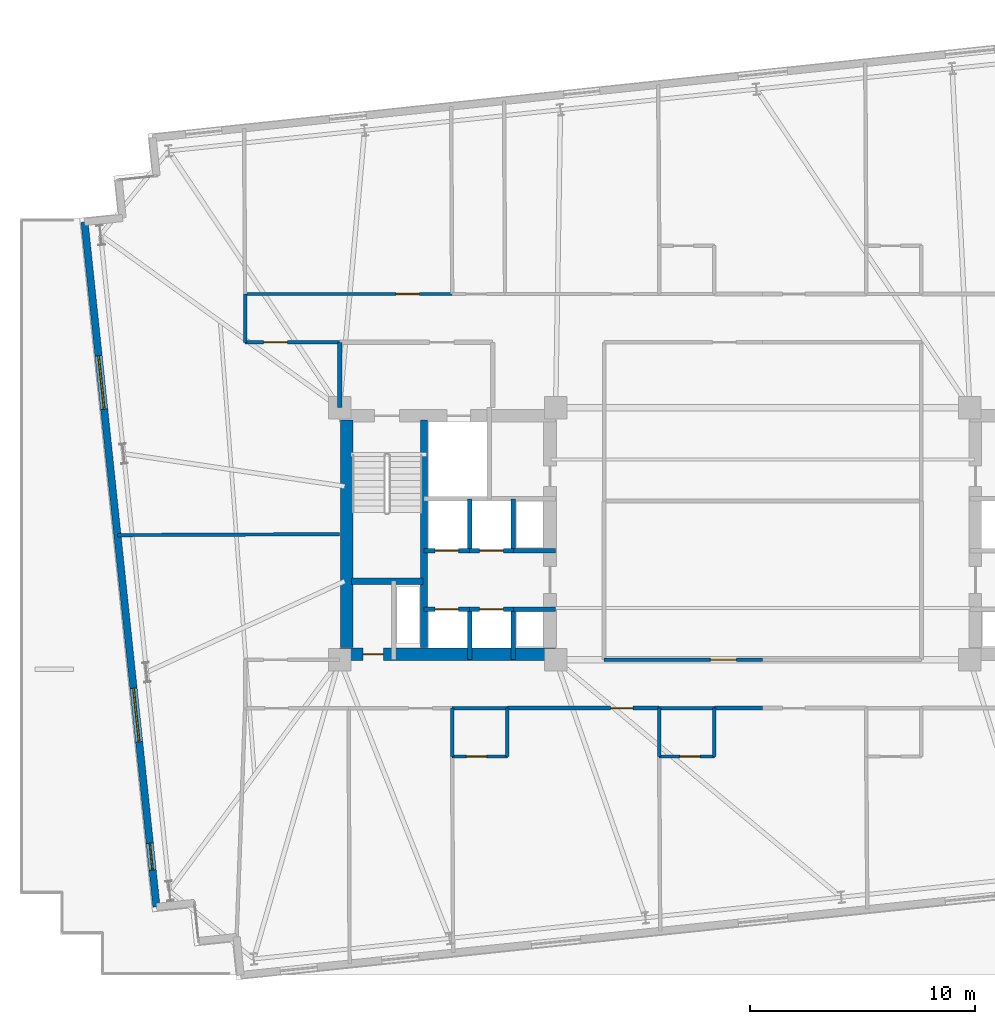
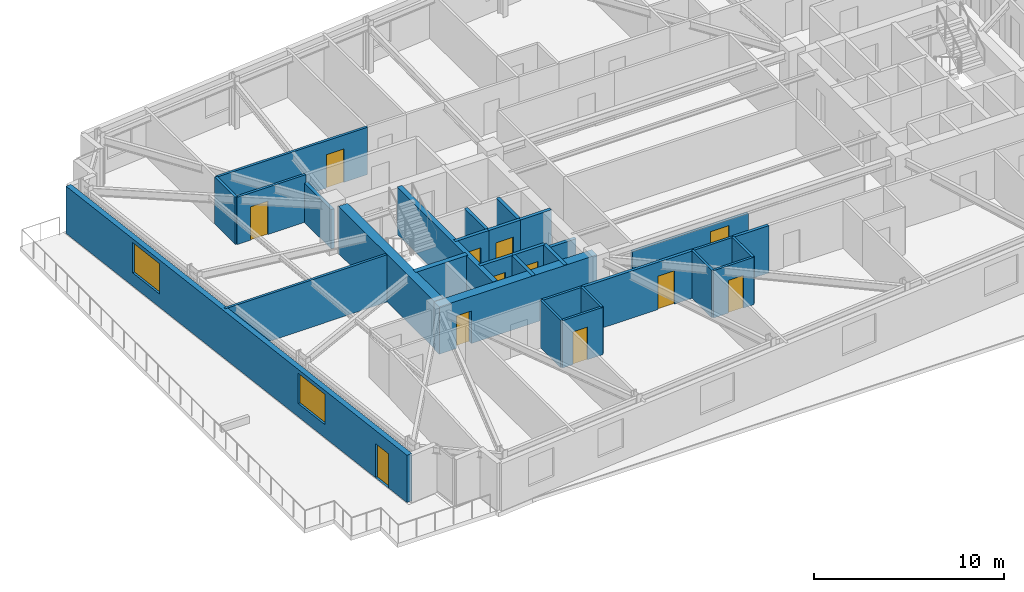
# One storey, part 12 of 20: 31 walls, 12 doors, 2 windows, 14 openings.
"""IFC4 building model written with IfcOpenShell, lengths in metres."""

from ifc_helpers import new_model, si_unit, direction, frame, frame_2d, origin, place, context, subcontext, project, spatial, rectangle, extrude, material, layer, layer_set, type_object, element, fill, save


model = new_model("IFC4")

# Units and contexts
model_context = context("Model", 3, precision=1e-05, world=origin(), true_north=direction((0.0, 1.0)))
body_context = subcontext(model_context, "Body", "Model", "MODEL_VIEW")
ifc_project = project(units=[si_unit("LENGTHUNIT", "METRE"), si_unit("AREAUNIT", "SQUARE_METRE"), si_unit("VOLUMEUNIT", "CUBIC_METRE"), si_unit("PLANEANGLEUNIT", "RADIAN"), si_unit("MASSUNIT", "GRAM", prefix="KILO")], contexts=[model_context])

# Site, building, storey
site_placement = place(None, origin())
site = spatial("IfcSite", under=ifc_project, at=site_placement, CompositionType="ELEMENT")
building_placement = place(site_placement, origin())
building = spatial("IfcBuilding", under=site, at=building_placement, Name="Qobustan Lattice House", CompositionType="ELEMENT")
storey_placement = place(building_placement, frame((0.0, 0.0, 79.0)))
storey = spatial("IfcBuildingStorey", under=building, at=storey_placement, Name="L21", CompositionType="ELEMENT", Elevation=79.0)

# Wall, opening, door
ifc_material_1 = material(Name="Concrete C60/75", Category="concrete")
ifc_layer_1 = layer(ifc_material_1, 0.56005859375)
ifc_layer_set_1 = layer_set([ifc_layer_1], Name="Concrete C60/75")
wall_type_1 = type_object("IfcWallType", Name="WAL-CORE-600", PredefinedType="SHEAR", material=ifc_layer_set_1)
wall_1_placement = place(storey_placement, frame((-18.800048828125, -5.35009765625, 0.0), z_axis=(0.0, 0.0, 1.0), x_axis=(1.0, 0.0, 0.0)))
wall_1 = element("IfcWall", 1, at=wall_1_placement, inside=storey, type_object=wall_type_1, Name="L21 split-core shear wall CW-S", PredefinedType="SHEAR", context=body_context, shape_type="SweptSolid", body=[
    extrude(rectangle(XDim=9.60009765625, YDim=0.56005859375, at=frame_2d((4.800048828125, 0.0))), origin(), (0.0, 0.0, 1.0), 3.044921875),
])
opening_1_placement = place(wall_1_placement, frame((1.050048828125, 0.0, 0.0)))
opening_1 = element("IfcOpeningElement", 2, at=opening_1_placement, cuts=wall_1, Name="Opening RD-01", PredefinedType="OPENING", context=body_context, shape_type="SweptSolid", body=[
    extrude(rectangle(XDim=0.89990234375, YDim=2.10009765625, at=frame_2d((0.449951171875, 1.050048828125))), frame((0.0, 0.2900390625, 0.0), z_axis=(0.0, -1.0, 0.0), x_axis=(1.0, 0.0, 0.0)), (0.0, 0.0, 1.0), 0.580078125),
])
ifc_material_2 = material(Name="Persian walnut timber and steel frame door", Category="steel")
door_type_1 = type_object("IfcDoorType", Name="DOR-RISER-FD-900x2100", OperationType="NOTDEFINED", PredefinedType="DOOR", material=ifc_material_2)
door_1_placement = place(opening_1_placement, origin())
door_1 = element("IfcDoor", 3, at=door_1_placement, inside=storey, type_object=door_type_1, Name="L21 core service riser access door W", OperationType="SINGLE_SWING_LEFT", OverallHeight=2.10009765625, OverallWidth=0.89990234375, PredefinedType="DOOR", context=body_context, shape_type="SweptSolid", body=[
    extrude(rectangle(XDim=0.89990234375, YDim=2.10009765625, at=frame_2d((0.449951171875, 1.050048828125))), frame((0.0, 0.02490234375, 0.0), z_axis=(0.0, -1.0, 0.0), x_axis=(1.0, 0.0, 0.0)), (0.0, 0.0, 1.0), 0.050048828125),
])
fill(opening_1, door_1)

# Walls
wall_2_placement = place(storey_placement, frame((-18.489990234375, -5.050048828125, 0.0), z_axis=(0.0, 0.0, 1.0), x_axis=(0.0, 1.0, 0.0)))
element("IfcWall", 4, at=wall_2_placement, inside=storey, type_object=wall_type_1, Name="L21 split-core shear wall CW-W", PredefinedType="SHEAR", context=body_context, shape_type="SweptSolid", body=[
    extrude(rectangle(XDim=10.10009765625, YDim=0.56005859375, at=frame_2d((5.050048828125, 0.0))), origin(), (0.0, 0.0, 1.0), 3.044921875),
])
ifc_material_3 = material(Name="Concrete C50/60", Category="concrete")
ifc_layer_2 = layer(ifc_material_3, 0.280029296875)
ifc_layer_set_2 = layer_set([ifc_layer_2], Name="Concrete C50/60")
wall_type_2 = type_object("IfcWallType", Name="WAL-CORE-SPINE-280", PredefinedType="SHEAR", material=ifc_layer_set_2)
wall_3_placement = place(storey_placement, frame((-15.050048828125, -5.050048828125, 0.0), z_axis=(0.0, 0.0, 1.0), x_axis=(0.0, 1.0, 0.0)))
element("IfcWall", 5, at=wall_3_placement, inside=storey, type_object=wall_type_2, Name="L21 split-core shear wall CW-M", PredefinedType="SHEAR", context=body_context, shape_type="SweptSolid", body=[
    extrude(rectangle(XDim=10.10009765625, YDim=0.300048828125, at=frame_2d((5.050048828125, 0.0))), origin(), (0.0, 0.0, 1.0), 3.044921875),
])
wall_4_placement = place(storey_placement, frame((-18.280029296875, -2.110107421875, 0.0), z_axis=(0.0, 0.0, 1.0), x_axis=(1.0, 0.0, 0.0)))
element("IfcWall", 6, at=wall_4_placement, inside=storey, type_object=wall_type_2, Name="L21 split-core shear wall CW-ST", PredefinedType="SHEAR", context=body_context, shape_type="SweptSolid", body=[
    extrude(rectangle(XDim=3.179931640625, YDim=0.300048828125, at=frame_2d((1.58984375, 0.0))), origin(), (0.0, 0.0, 1.0), 3.044921875),
])

# Wall, openings, door, windows
ifc_material_4 = material(Name="Precast concrete C40/50", Category="concrete")
ifc_layer_3 = layer(ifc_material_4, 0.320068359375)
ifc_layer_set_3 = layer_set([ifc_layer_3], Name="Precast concrete C40/50")
wall_type_3 = type_object("IfcWallType", Name="WAL-EXT-STONE-320", PredefinedType="SOLIDWALL", material=ifc_layer_set_3)
wall_5_placement = place(storey_placement, frame((-26.934814453125, -16.58349609375, 0.0), z_axis=(0.0, 0.0, 1.0), x_axis=(-0.104524887486, 0.994522271192, 0.0)))
wall_5 = element("IfcWall", 7, at=wall_5_placement, inside=storey, type_object=wall_type_3, Name="L21 exterior limestone-clad wall 5", PredefinedType="SOLIDWALL", context=body_context, shape_type="SweptSolid", body=[
    extrude(rectangle(XDim=30.600341796875, YDim=0.320068359375, at=frame_2d((15.30029296875, 0.0))), origin(), (0.0, 0.0, 1.0), 3.044921875),
])
opening_2_placement = place(wall_5_placement, frame((1.64990234375, 0.0, 0.0)))
opening_2 = element("IfcOpeningElement", 8, at=opening_2_placement, cuts=wall_5, Name="Opening TD-01", PredefinedType="OPENING", context=body_context, shape_type="SweptSolid", body=[
    extrude(rectangle(XDim=1.199951171875, YDim=2.199951171875, at=frame_2d((0.60009765625, 1.10009765625))), frame((0.0, 0.169921875, 0.0), z_axis=(0.0, -1.0, 0.0), x_axis=(1.0, 0.0, 0.0)), (0.0, 0.0, 1.0), 0.340087890625),
])
opening_3_placement = place(wall_5_placement, frame((7.37109375, 0.0, 0.85009765625)))
opening_3 = element("IfcOpeningElement", 9, at=opening_3_placement, cuts=wall_5, Name="Opening WN-10", PredefinedType="OPENING", context=body_context, shape_type="SweptSolid", body=[
    extrude(rectangle(XDim=2.39990234375, YDim=1.949951171875, at=frame_2d((1.199951171875, 0.97509765625))), frame((0.0, 0.169921875, 0.0), z_axis=(0.0, -1.0, 0.0), x_axis=(1.0, 0.0, 0.0)), (0.0, 0.0, 1.0), 0.340087890625),
])
opening_4_placement = place(wall_5_placement, frame((22.230712890625, 0.0, 0.85009765625)))
opening_4 = element("IfcOpeningElement", 10, at=opening_4_placement, cuts=wall_5, Name="Opening WN-10", PredefinedType="OPENING", context=body_context, shape_type="SweptSolid", body=[
    extrude(rectangle(XDim=2.39990234375, YDim=1.949951171875, at=frame_2d((1.199951171875, 0.97509765625))), frame((0.0, 0.169921875, 0.0), z_axis=(0.0, -1.0, 0.0), x_axis=(1.0, 0.0, 0.0)), (0.0, 0.0, 1.0), 0.340087890625),
])
ifc_material_5 = material(Name="Thermally broken anodised aluminium glazed door", Category="aluminium")
door_type_2 = type_object("IfcDoorType", Name="DOR-EXT-TERR-1200x2200", OperationType="NOTDEFINED", PredefinedType="DOOR", material=ifc_material_5)
door_2_placement = place(opening_2_placement, origin())
door_2 = element("IfcDoor", 11, at=door_2_placement, inside=storey, type_object=door_type_2, Name="L21 outdoor terrace access door", OperationType="SINGLE_SWING_RIGHT", OverallHeight=2.199951171875, OverallWidth=1.199951171875, PredefinedType="DOOR", context=body_context, shape_type="SweptSolid", body=[
    extrude(rectangle(XDim=1.199951171875, YDim=2.199951171875, at=frame_2d((0.60009765625, 1.10009765625))), frame((0.0, 0.02490234375, 0.0), z_axis=(0.0, -1.0, 0.0), x_axis=(1.0, 0.0, 0.0)), (0.0, 0.0, 1.0), 0.050048828125),
])
fill(opening_2, door_2)
ifc_material_6 = material(Name="Double-glazed low-E aluminium window", Category="aluminium")
window_type = type_object("IfcWindowType", Name="WIN-LNG-2400x1950", PartitioningType="SINGLE_PANEL", PredefinedType="WINDOW", material=ifc_material_6)
window_1_placement = place(opening_3_placement, origin())
window_1 = element("IfcWindow", 12, at=window_1_placement, inside=storey, type_object=window_type, Name="L21 Spiral terrace south lounge window", OverallHeight=1.949951171875, OverallWidth=2.39990234375, PartitioningType="SINGLE_PANEL", PredefinedType="WINDOW", context=body_context, shape_type="SweptSolid", body=[
    extrude(rectangle(XDim=2.39990234375, YDim=1.949951171875, at=frame_2d((1.199951171875, 0.97509765625))), frame((0.0, 0.030029296875, 0.0), z_axis=(0.0, -1.0, 0.0), x_axis=(1.0, 0.0, 0.0)), (0.0, 0.0, 1.0), 0.06005859375),
])
fill(opening_3, window_1)
window_2_placement = place(opening_4_placement, origin())
window_2 = element("IfcWindow", 13, at=window_2_placement, inside=storey, type_object=window_type, Name="L21 Spiral terrace north lounge window", OverallHeight=1.949951171875, OverallWidth=2.39990234375, PartitioningType="SINGLE_PANEL", PredefinedType="WINDOW", context=body_context, shape_type="SweptSolid", body=[
    extrude(rectangle(XDim=2.39990234375, YDim=1.949951171875, at=frame_2d((1.199951171875, 0.97509765625))), frame((0.0, 0.030029296875, 0.0), z_axis=(0.0, -1.0, 0.0), x_axis=(1.0, 0.0, 0.0)), (0.0, 0.0, 1.0), 0.06005859375),
])
fill(opening_4, window_2)

# Wall, opening, door
ifc_material_7 = material(Name="Gypsum fireboard acoustic partition", Category="gypsum")
ifc_layer_4 = layer(ifc_material_7, 0.179931640625)
ifc_layer_set_4 = layer_set([ifc_layer_4], Name="Gypsum fireboard acoustic partition")
wall_type_4 = type_object("IfcWallType", Name="WAL-FIRE-180", PredefinedType="PARTITIONING", material=ifc_layer_set_4)
wall_6_placement = place(storey_placement, frame((-4.60009765625, -7.75, 0.0), z_axis=(0.0, 0.0, 1.0), x_axis=(-1.0, 0.0, 0.0)))
wall_6 = element("IfcWall", 14, at=wall_6_placement, inside=storey, type_object=wall_type_4, Name="L21 interior partition 56", PredefinedType="PARTITIONING", context=body_context, shape_type="SweptSolid", body=[
    extrude(rectangle(XDim=6.75, YDim=0.179931640625, at=frame_2d((3.375, 0.0))), origin(), (0.0, 0.0, 1.0), 3.044921875),
])
opening_5_placement = place(wall_6_placement, frame((1.15380859375, 0.0, 0.0)))
opening_5 = element("IfcOpeningElement", 15, at=opening_5_placement, cuts=wall_6, Name="Opening FD-02", PredefinedType="OPENING", context=body_context, shape_type="SweptSolid", body=[
    extrude(rectangle(XDim=1.0, YDim=2.14990234375, at=frame_2d((0.5, 1.074951171875))), frame((0.0, 0.099853515625, 0.0), z_axis=(0.0, -1.0, 0.0), x_axis=(1.0, 0.0, 0.0)), (0.0, 0.0, 1.0), 0.199951171875),
])
ifc_material_8 = material(Name="Persian walnut timber and steel frame door", Category="steel")
door_type_3 = type_object("IfcDoorType", Name="DOR-UNIT-FD-1000x2150", OperationType="NOTDEFINED", PredefinedType="DOOR", material=ifc_material_8)
door_3_placement = place(opening_5_placement, origin())
door_3 = element("IfcDoor", 16, at=door_3_placement, inside=storey, type_object=door_type_3, Name="L21 South-west floor corridor to Kitchenette and studio apartment L21-S2 door", OperationType="SINGLE_SWING_LEFT", OverallHeight=2.14990234375, OverallWidth=1.0, PredefinedType="DOOR", context=body_context, shape_type="SweptSolid", body=[
    extrude(rectangle(XDim=1.0, YDim=2.14990234375, at=frame_2d((0.5, 1.074951171875))), frame((0.0, 0.02490234375, 0.0), z_axis=(0.0, -1.0, 0.0), x_axis=(1.0, 0.0, 0.0)), (0.0, 0.0, 1.0), 0.050048828125),
])
fill(opening_5, door_3)

# Wall
wall_7_placement = place(storey_placement, frame((0.0, -7.75, 0.0), z_axis=(0.0, 0.0, 1.0), x_axis=(-1.0, 0.0, 0.0)))
element("IfcWall", 17, at=wall_7_placement, inside=storey, type_object=wall_type_4, Name="L21 interior partition 58", PredefinedType="PARTITIONING", context=body_context, shape_type="SweptSolid", body=[
    extrude(rectangle(XDim=2.14990234375, YDim=0.179931640625, at=frame_2d((1.074951171875, 0.0))), origin(), (0.0, 0.0, 1.0), 3.044921875),
])

# Wall, opening, door
ifc_material_9 = material(Name="Acoustic twin-stud gypsum partition", Category="gypsum")
ifc_layer_5 = layer(ifc_material_9, 0.14990234375)
ifc_layer_set_5 = layer_set([ifc_layer_5], Name="Acoustic twin-stud gypsum partition")
wall_type_5 = type_object("IfcWallType", Name="WAL-PART-150", PredefinedType="PARTITIONING", material=ifc_layer_set_5)
wall_8_placement = place(storey_placement, frame((-18.800048828125, 8.5, 0.0), z_axis=(0.0, 0.0, 1.0), x_axis=(-1.0, 0.0, 0.0)))
wall_8 = element("IfcWall", 18, at=wall_8_placement, inside=storey, type_object=wall_type_5, Name="L21 interior partition 36", PredefinedType="PARTITIONING", context=body_context, shape_type="SweptSolid", body=[
    extrude(rectangle(XDim=4.199951171875, YDim=0.14990234375, at=frame_2d((2.10009765625, 0.0))), origin(), (0.0, 0.0, 1.0), 3.044921875),
])
opening_6_placement = place(wall_8_placement, frame((2.3212890625, 0.0, 0.0)))
opening_6 = element("IfcOpeningElement", 19, at=opening_6_placement, cuts=wall_8, Name="Opening ID-02", PredefinedType="OPENING", context=body_context, shape_type="SweptSolid", body=[
    extrude(rectangle(XDim=1.050048828125, YDim=2.14990234375, at=frame_2d((0.52490234375, 1.074951171875))), frame((0.0, 0.0849609375, 0.0), z_axis=(0.0, -1.0, 0.0), x_axis=(1.0, 0.0, 0.0)), (0.0, 0.0, 1.0), 0.169921875),
])
ifc_material_10 = material(Name="Persian walnut timber and steel frame door", Category="steel")
door_type_4 = type_object("IfcDoorType", Name="DOR-STUDY-1050x2150", OperationType="NOTDEFINED", PredefinedType="DOOR", material=ifc_material_10)
door_4_placement = place(opening_6_placement, origin())
door_4 = element("IfcDoor", 20, at=door_4_placement, inside=storey, type_object=door_type_4, Name="L21 North-west floor corridor to Spiral terrace north lounge door", OperationType="SINGLE_SWING_RIGHT", OverallHeight=2.14990234375, OverallWidth=1.050048828125, PredefinedType="DOOR", context=body_context, shape_type="SweptSolid", body=[
    extrude(rectangle(XDim=1.050048828125, YDim=2.14990234375, at=frame_2d((0.52490234375, 1.074951171875))), frame((0.0, 0.02490234375, 0.0), z_axis=(0.0, -1.0, 0.0), x_axis=(1.0, 0.0, 0.0)), (0.0, 0.0, 1.0), 0.050048828125),
])
fill(opening_6, door_4)

# Wall
wall_9_placement = place(storey_placement, frame((-23.0, 8.5, 0.0), z_axis=(0.0, 0.0, 1.0), x_axis=(0.0, 1.0, 0.0)))
element("IfcWall", 21, at=wall_9_placement, inside=storey, type_object=wall_type_5, Name="L21 interior partition 37", PredefinedType="PARTITIONING", context=body_context, shape_type="SweptSolid", body=[
    extrude(rectangle(XDim=2.14990234375, YDim=0.14990234375, at=frame_2d((1.074951171875, 0.0))), origin(), (0.0, 0.0, 1.0), 3.044921875),
])

# Wall, opening, door
wall_10_placement = place(storey_placement, frame((-23.0, 10.64990234375, 0.0), z_axis=(0.0, 0.0, 1.0), x_axis=(1.0, 0.0, 0.0)))
wall_10 = element("IfcWall", 22, at=wall_10_placement, inside=storey, type_object=wall_type_5, Name="L21 interior partition 38", PredefinedType="PARTITIONING", context=body_context, shape_type="SweptSolid", body=[
    extrude(rectangle(XDim=9.199951171875, YDim=0.14990234375, at=frame_2d((4.60009765625, 0.0))), origin(), (0.0, 0.0, 1.0), 3.044921875),
])
opening_7_placement = place(wall_10_placement, frame((6.6962890625, 0.0, 0.0)))
opening_7 = element("IfcOpeningElement", 23, at=opening_7_placement, cuts=wall_10, Name="Opening ID-02", PredefinedType="OPENING", context=body_context, shape_type="SweptSolid", body=[
    extrude(rectangle(XDim=1.050048828125, YDim=2.14990234375, at=frame_2d((0.52490234375, 1.074951171875))), frame((0.0, 0.0849609375, 0.0), z_axis=(0.0, -1.0, 0.0), x_axis=(1.0, 0.0, 0.0)), (0.0, 0.0, 1.0), 0.169921875),
])
door_5_placement = place(opening_7_placement, origin())
door_5 = element("IfcDoor", 24, at=door_5_placement, inside=storey, type_object=door_type_4, Name="L21 North-west floor corridor to Focus study room N1 door", OperationType="SINGLE_SWING_LEFT", OverallHeight=2.14990234375, OverallWidth=1.050048828125, PredefinedType="DOOR", context=body_context, shape_type="SweptSolid", body=[
    extrude(rectangle(XDim=1.050048828125, YDim=2.14990234375, at=frame_2d((0.52490234375, 1.074951171875))), frame((0.0, 0.02490234375, 0.0), z_axis=(0.0, -1.0, 0.0), x_axis=(1.0, 0.0, 0.0)), (0.0, 0.0, 1.0), 0.050048828125),
])
fill(opening_7, door_5)

# Wall
wall_11_placement = place(storey_placement, frame((-28.6708984375, -0.063720703125, 0.0), z_axis=(0.0, 0.0, 1.0), x_axis=(0.999990089865, 0.004451985263, 0.0)))
element("IfcWall", 25, at=wall_11_placement, inside=storey, type_object=wall_type_5, Name="L21 interior partition 72", PredefinedType="PARTITIONING", context=body_context, shape_type="SweptSolid", body=[
    extrude(rectangle(XDim=9.870849609375, YDim=0.14990234375, at=frame_2d((4.935546875, 0.0))), origin(), (0.0, 0.0, 1.0), 3.044921875),
])

# Wall, opening, door
ifc_material_11 = material(Name="High-mass acoustic twin-stud partition", Category="gypsum")
ifc_layer_6 = layer(ifc_material_11, 0.1650390625)
ifc_layer_set_6 = layer_set([ifc_layer_6], Name="High-mass acoustic twin-stud partition")
wall_type_6 = type_object("IfcWallType", Name="WAL-PART-165", PredefinedType="PARTITIONING", material=ifc_layer_set_6)
wall_12_placement = place(storey_placement, frame((-7.050048828125, -5.60009765625, 0.0), z_axis=(0.0, 0.0, 1.0), x_axis=(1.0, 0.0, 0.0)))
wall_12 = element("IfcWall", 26, at=wall_12_placement, inside=storey, type_object=wall_type_6, Name="L21 interior partition 60", PredefinedType="PARTITIONING", context=body_context, shape_type="SweptSolid", body=[
    extrude(rectangle(XDim=7.050048828125, YDim=0.1650390625, at=frame_2d((3.52490234375, 0.0))), origin(), (0.0, 0.0, 1.0), 2.530029296875),
])
opening_8_placement = place(wall_12_placement, frame((4.7275390625, 0.0, 0.0)))
opening_8 = element("IfcOpeningElement", 27, at=opening_8_placement, cuts=wall_12, Name="Opening ID-03", PredefinedType="OPENING", context=body_context, shape_type="SweptSolid", body=[
    extrude(rectangle(XDim=1.14990234375, YDim=2.14990234375, at=frame_2d((0.574951171875, 1.074951171875))), frame((0.0, 0.092529296875, 0.0), z_axis=(0.0, -1.0, 0.0), x_axis=(1.0, 0.0, 0.0)), (0.0, 0.0, 1.0), 0.18505859375),
])
ifc_material_12 = material(Name="Persian walnut timber and steel frame door", Category="steel")
door_type_5 = type_object("IfcDoorType", Name="DOR-KITCH-1150x2150", OperationType="NOTDEFINED", PredefinedType="DOOR", material=ifc_material_12)
door_6_placement = place(opening_8_placement, origin())
door_6 = element("IfcDoor", 28, at=door_6_placement, inside=storey, type_object=door_type_5, Name="L21 South-west floor corridor to Communal dining kitchen door", OperationType="SINGLE_SWING_RIGHT", OverallHeight=2.14990234375, OverallWidth=1.14990234375, PredefinedType="DOOR", context=body_context, shape_type="SweptSolid", body=[
    extrude(rectangle(XDim=1.14990234375, YDim=2.14990234375, at=frame_2d((0.574951171875, 1.074951171875))), frame((0.0, 0.02490234375, 0.0), z_axis=(0.0, -1.0, 0.0), x_axis=(1.0, 0.0, 0.0)), (0.0, 0.0, 1.0), 0.050048828125),
])
fill(opening_8, door_6)

# Wall
ifc_material_13 = material(Name="Two-hour gypsum fireboard acoustic partition", Category="gypsum")
ifc_layer_7 = layer(ifc_material_13, 0.199951171875)
ifc_layer_set_7 = layer_set([ifc_layer_7], Name="Two-hour gypsum fireboard acoustic partition")
wall_type_7 = type_object("IfcWallType", Name="WAL-PROT-200", PredefinedType="PARTITIONING", material=ifc_layer_set_7)
wall_13_placement = place(storey_placement, frame((-18.800048828125, 8.5, 0.0), z_axis=(0.0, 0.0, 1.0), x_axis=(0.0, -1.0, 0.0)))
element("IfcWall", 29, at=wall_13_placement, inside=storey, type_object=wall_type_7, Name="L21 interior partition 5", PredefinedType="PARTITIONING", context=body_context, shape_type="SweptSolid", body=[
    extrude(rectangle(XDim=2.89990234375, YDim=0.199951171875, at=frame_2d((1.449951171875, 0.0))), origin(), (0.0, 0.0, 1.0), 2.530029296875),
])

# Wall, opening, door
ifc_material_14 = material(Name="Concrete C40/50", Category="concrete")
ifc_layer_8 = layer(ifc_material_14, 0.199951171875)
ifc_layer_set_8 = layer_set([ifc_layer_8], Name="Concrete C40/50")
wall_type_8 = type_object("IfcWallType", Name="WAL-SHAFT-200", PredefinedType="PARTITIONING", material=ifc_layer_set_8)
wall_14_placement = place(storey_placement, frame((-15.050048828125, -3.35009765625, 0.0), z_axis=(0.0, 0.0, 1.0), x_axis=(1.0, 0.0, 0.0)))
wall_14 = element("IfcWall", 30, at=wall_14_placement, inside=storey, type_object=wall_type_8, Name="L21 interior partition 7", PredefinedType="PARTITIONING", context=body_context, shape_type="SweptSolid", body=[
    extrude(rectangle(XDim=2.030029296875, YDim=0.199951171875, at=frame_2d((1.01513671875, 0.0))), origin(), (0.0, 0.0, 1.0), 3.044921875),
])
opening_9_placement = place(wall_14_placement, frame((0.489990234375, 0.0, 0.0)))
opening_9 = element("IfcOpeningElement", 31, at=opening_9_placement, cuts=wall_14, Name="Opening LD-01", PredefinedType="OPENING", context=body_context, shape_type="SweptSolid", body=[
    extrude(rectangle(XDim=1.050048828125, YDim=2.10009765625, at=frame_2d((0.52490234375, 1.050048828125))), frame((0.0, 0.10986328125, 0.0), z_axis=(0.0, -1.0, 0.0), x_axis=(1.0, 0.0, 0.0)), (0.0, 0.0, 1.0), 0.219970703125),
])
ifc_material_15 = material(Name="Persian walnut timber and steel frame door", Category="steel")
door_type_6 = type_object("IfcDoorType", Name="DOR-LIFT-LD-1050x2100", OperationType="NOTDEFINED", PredefinedType="DOOR", material=ifc_material_15)
door_7_placement = place(opening_9_placement, origin())
door_7 = element("IfcDoor", 32, at=door_7_placement, inside=storey, type_object=door_type_6, Name="L21 lift landing door", OperationType="DOUBLE_DOOR_SLIDING", OverallHeight=2.10009765625, OverallWidth=1.050048828125, PredefinedType="DOOR", context=body_context, shape_type="SweptSolid", body=[
    extrude(rectangle(XDim=1.050048828125, YDim=2.10009765625, at=frame_2d((0.52490234375, 1.050048828125))), frame((0.0, 0.02490234375, 0.0), z_axis=(0.0, -1.0, 0.0), x_axis=(1.0, 0.0, 0.0)), (0.0, 0.0, 1.0), 0.050048828125),
])
fill(opening_9, door_7)

wall_15_placement = place(storey_placement, frame((-13.02001953125, -3.35009765625, 0.0), z_axis=(0.0, 0.0, 1.0), x_axis=(1.0, 0.0, 0.0)))
wall_15 = element("IfcWall", 33, at=wall_15_placement, inside=storey, type_object=wall_type_8, Name="L21 interior partition 8", PredefinedType="PARTITIONING", context=body_context, shape_type="SweptSolid", body=[
    extrude(rectangle(XDim=1.93994140625, YDim=0.199951171875, at=frame_2d((0.969970703125, 0.0))), origin(), (0.0, 0.0, 1.0), 3.044921875),
])
opening_10_placement = place(wall_15_placement, frame((0.445068359375, 0.0, 0.0)))
opening_10 = element("IfcOpeningElement", 34, at=opening_10_placement, cuts=wall_15, Name="Opening LD-01", PredefinedType="OPENING", context=body_context, shape_type="SweptSolid", body=[
    extrude(rectangle(XDim=1.050048828125, YDim=2.10009765625, at=frame_2d((0.52490234375, 1.050048828125))), frame((0.0, 0.10986328125, 0.0), z_axis=(0.0, -1.0, 0.0), x_axis=(1.0, 0.0, 0.0)), (0.0, 0.0, 1.0), 0.219970703125),
])
door_8_placement = place(opening_10_placement, origin())
door_8 = element("IfcDoor", 35, at=door_8_placement, inside=storey, type_object=door_type_6, Name="L21 lift landing door", OperationType="DOUBLE_DOOR_SLIDING", OverallHeight=2.10009765625, OverallWidth=1.050048828125, PredefinedType="DOOR", context=body_context, shape_type="SweptSolid", body=[
    extrude(rectangle(XDim=1.050048828125, YDim=2.10009765625, at=frame_2d((0.52490234375, 1.050048828125))), frame((0.0, 0.02490234375, 0.0), z_axis=(0.0, -1.0, 0.0), x_axis=(1.0, 0.0, 0.0)), (0.0, 0.0, 1.0), 0.050048828125),
])
fill(opening_10, door_8)

# Wall
wall_16_placement = place(storey_placement, frame((-11.080078125, -3.35009765625, 0.0), z_axis=(0.0, 0.0, 1.0), x_axis=(1.0, 0.0, 0.0)))
element("IfcWall", 36, at=wall_16_placement, inside=storey, type_object=wall_type_8, Name="L21 interior partition 9", PredefinedType="PARTITIONING", context=body_context, shape_type="SweptSolid", body=[
    extrude(rectangle(XDim=1.880126953125, YDim=0.199951171875, at=frame_2d((0.93994140625, 0.0))), origin(), (0.0, 0.0, 1.0), 2.760009765625),
])

# Wall, opening, door
wall_17_placement = place(storey_placement, frame((-13.02001953125, -0.75, 0.0), z_axis=(0.0, 0.0, 1.0), x_axis=(-1.0, 0.0, 0.0)))
wall_17 = element("IfcWall", 37, at=wall_17_placement, inside=storey, type_object=wall_type_8, Name="L21 interior partition 10", PredefinedType="PARTITIONING", context=body_context, shape_type="SweptSolid", body=[
    extrude(rectangle(XDim=2.030029296875, YDim=0.199951171875, at=frame_2d((1.01513671875, 0.0))), origin(), (0.0, 0.0, 1.0), 3.044921875),
])
opening_11_placement = place(wall_17_placement, frame((0.489990234375, 0.0, 0.0)))
opening_11 = element("IfcOpeningElement", 38, at=opening_11_placement, cuts=wall_17, Name="Opening LD-01", PredefinedType="OPENING", context=body_context, shape_type="SweptSolid", body=[
    extrude(rectangle(XDim=1.050048828125, YDim=2.10009765625, at=frame_2d((0.52490234375, 1.050048828125))), frame((0.0, 0.10986328125, 0.0), z_axis=(0.0, -1.0, 0.0), x_axis=(1.0, 0.0, 0.0)), (0.0, 0.0, 1.0), 0.219970703125),
])
door_9_placement = place(opening_11_placement, origin())
door_9 = element("IfcDoor", 39, at=door_9_placement, inside=storey, type_object=door_type_6, Name="L21 lift landing door", OperationType="DOUBLE_DOOR_SLIDING", OverallHeight=2.10009765625, OverallWidth=1.050048828125, PredefinedType="DOOR", context=body_context, shape_type="SweptSolid", body=[
    extrude(rectangle(XDim=1.050048828125, YDim=2.10009765625, at=frame_2d((0.52490234375, 1.050048828125))), frame((0.0, 0.02490234375, 0.0), z_axis=(0.0, -1.0, 0.0), x_axis=(1.0, 0.0, 0.0)), (0.0, 0.0, 1.0), 0.050048828125),
])
fill(opening_11, door_9)

wall_18_placement = place(storey_placement, frame((-11.080078125, -0.75, 0.0), z_axis=(0.0, 0.0, 1.0), x_axis=(-1.0, 0.0, 0.0)))
wall_18 = element("IfcWall", 40, at=wall_18_placement, inside=storey, type_object=wall_type_8, Name="L21 interior partition 11", PredefinedType="PARTITIONING", context=body_context, shape_type="SweptSolid", body=[
    extrude(rectangle(XDim=1.93994140625, YDim=0.199951171875, at=frame_2d((0.969970703125, 0.0))), origin(), (0.0, 0.0, 1.0), 3.044921875),
])
opening_12_placement = place(wall_18_placement, frame((0.445068359375, 0.0, 0.0)))
opening_12 = element("IfcOpeningElement", 41, at=opening_12_placement, cuts=wall_18, Name="Opening LD-01", PredefinedType="OPENING", context=body_context, shape_type="SweptSolid", body=[
    extrude(rectangle(XDim=1.050048828125, YDim=2.10009765625, at=frame_2d((0.52490234375, 1.050048828125))), frame((0.0, 0.10986328125, 0.0), z_axis=(0.0, -1.0, 0.0), x_axis=(1.0, 0.0, 0.0)), (0.0, 0.0, 1.0), 0.219970703125),
])
door_10_placement = place(opening_12_placement, origin())
door_10 = element("IfcDoor", 42, at=door_10_placement, inside=storey, type_object=door_type_6, Name="L21 lift landing door", OperationType="DOUBLE_DOOR_SLIDING", OverallHeight=2.10009765625, OverallWidth=1.050048828125, PredefinedType="DOOR", context=body_context, shape_type="SweptSolid", body=[
    extrude(rectangle(XDim=1.050048828125, YDim=2.10009765625, at=frame_2d((0.52490234375, 1.050048828125))), frame((0.0, 0.02490234375, 0.0), z_axis=(0.0, -1.0, 0.0), x_axis=(1.0, 0.0, 0.0)), (0.0, 0.0, 1.0), 0.050048828125),
])
fill(opening_12, door_10)

# Walls
wall_19_placement = place(storey_placement, frame((-9.199951171875, -0.75, 0.0), z_axis=(0.0, 0.0, 1.0), x_axis=(-1.0, 0.0, 0.0)))
element("IfcWall", 43, at=wall_19_placement, inside=storey, type_object=wall_type_8, Name="L21 interior partition 12", PredefinedType="PARTITIONING", context=body_context, shape_type="SweptSolid", body=[
    extrude(rectangle(XDim=1.880126953125, YDim=0.199951171875, at=frame_2d((0.93994140625, 0.0))), origin(), (0.0, 0.0, 1.0), 3.044921875),
])
for number, where, z_axis, x_axis, name in (
    (44, (-13.02001953125, -5.60009765625, 0.0), (0.0, 0.0, 1.0), (0.0, 1.0, 0.0), "L21 interior partition 14"),
    (45, (-11.080078125, -5.60009765625, 0.0), (0.0, 0.0, 1.0), (0.0, 1.0, 0.0), "L21 interior partition 15"),
):
    element("IfcWall", number, at=place(storey_placement, frame(where, z_axis=z_axis, x_axis=x_axis)), inside=storey, type_object=wall_type_8, Name=name, PredefinedType="PARTITIONING", context=body_context, shape_type="SweptSolid", body=[
        extrude(rectangle(XDim=2.25, YDim=0.199951171875, at=frame_2d((1.125, 0.0))), origin(), (0.0, 0.0, 1.0), 3.044921875),
    ])
for number, where, z_axis, x_axis, name in (
    (46, (-13.02001953125, -0.75, 0.0), (0.0, 0.0, 1.0), (0.0, 1.0, 0.0), "L21 interior partition 16"),
    (47, (-11.080078125, -0.75, 0.0), (0.0, 0.0, 1.0), (0.0, 1.0, 0.0), "L21 interior partition 17"),
):
    element("IfcWall", number, at=place(storey_placement, frame(where, z_axis=z_axis, x_axis=x_axis)), inside=storey, type_object=wall_type_8, Name=name, PredefinedType="PARTITIONING", context=body_context, shape_type="SweptSolid", body=[
        extrude(rectangle(XDim=2.300048828125, YDim=0.199951171875, at=frame_2d((1.14990234375, 0.0))), origin(), (0.0, 0.0, 1.0), 3.044921875),
    ])
ifc_material_16 = material(Name="Moisture-resistant acoustic plumbing wall", Category="gypsum")
ifc_layer_9 = layer(ifc_material_16, 0.14990234375)
ifc_layer_set_9 = layer_set([ifc_layer_9], Name="Moisture-resistant acoustic plumbing wall")
wall_type_9 = type_object("IfcWallType", Name="WAL-WET-150", PredefinedType="PLUMBINGWALL", material=ifc_layer_set_9)
wall_20_placement = place(storey_placement, frame((-11.35009765625, -7.75, 0.0), z_axis=(0.0, 0.0, 1.0), x_axis=(-1.0, 0.0, 0.0)))
element("IfcWall", 48, at=wall_20_placement, inside=storey, type_object=wall_type_9, Name="L21 interior partition 57", PredefinedType="PLUMBINGWALL", context=body_context, shape_type="SweptSolid", body=[
    extrude(rectangle(XDim=2.449951171875, YDim=0.14990234375, at=frame_2d((1.22509765625, 0.0))), origin(), (0.0, 0.0, 1.0), 3.044921875),
])
wall_21_placement = place(storey_placement, frame((-2.14990234375, -7.75, 0.0), z_axis=(0.0, 0.0, 1.0), x_axis=(-1.0, 0.0, 0.0)))
element("IfcWall", 49, at=wall_21_placement, inside=storey, type_object=wall_type_9, Name="L21 interior partition 59", PredefinedType="PLUMBINGWALL", context=body_context, shape_type="SweptSolid", body=[
    extrude(rectangle(XDim=2.4501953125, YDim=0.14990234375, at=frame_2d((1.22509765625, 0.0))), origin(), (0.0, 0.0, 1.0), 3.044921875),
])
wall_22_placement = place(storey_placement, frame((-13.800048828125, -7.75, 0.0), z_axis=(0.0, 0.0, 1.0), x_axis=(0.0, -1.0, 0.0)))
element("IfcWall", 50, at=wall_22_placement, inside=storey, type_object=wall_type_9, Name="L21 interior partition 101", PredefinedType="PLUMBINGWALL", context=body_context, shape_type="SweptSolid", body=[
    extrude(rectangle(XDim=2.14990234375, YDim=0.14990234375, at=frame_2d((1.074951171875, 0.0))), origin(), (0.0, 0.0, 1.0), 3.044921875),
])

# Wall, opening, door
wall_23_placement = place(storey_placement, frame((-13.800048828125, -9.89990234375, 0.0), z_axis=(0.0, 0.0, 1.0), x_axis=(1.0, 0.0, 0.0)))
wall_23 = element("IfcWall", 51, at=wall_23_placement, inside=storey, type_object=wall_type_9, Name="L21 interior partition 102", PredefinedType="PLUMBINGWALL", context=body_context, shape_type="SweptSolid", body=[
    extrude(rectangle(XDim=2.449951171875, YDim=0.14990234375, at=frame_2d((1.22509765625, 0.0))), origin(), (0.0, 0.0, 1.0), 3.044921875),
])
opening_13_placement = place(wall_23_placement, frame((0.62890625, 0.0, 0.0)))
opening_13 = element("IfcOpeningElement", 52, at=opening_13_placement, cuts=wall_23, Name="Opening WD-01", PredefinedType="OPENING", context=body_context, shape_type="SweptSolid", body=[
    extrude(rectangle(XDim=0.89990234375, YDim=2.10009765625, at=frame_2d((0.449951171875, 1.050048828125))), frame((0.0, 0.0849609375, 0.0), z_axis=(0.0, -1.0, 0.0), x_axis=(1.0, 0.0, 0.0)), (0.0, 0.0, 1.0), 0.169921875),
])
ifc_material_17 = material(Name="Persian walnut timber and steel frame door", Category="steel")
door_type_7 = type_object("IfcDoorType", Name="DOR-WET-900x2100", OperationType="NOTDEFINED", PredefinedType="DOOR", material=ifc_material_17)
door_11_placement = place(opening_13_placement, origin())
door_11 = element("IfcDoor", 53, at=door_11_placement, inside=storey, type_object=door_type_7, Name="L21 Kitchenette and studio apartment L21-S2 to En-suite bathroom L21-S2 door", OperationType="SINGLE_SWING_RIGHT", OverallHeight=2.10009765625, OverallWidth=0.89990234375, PredefinedType="DOOR", context=body_context, shape_type="SweptSolid", body=[
    extrude(rectangle(XDim=0.89990234375, YDim=2.10009765625, at=frame_2d((0.449951171875, 1.050048828125))), frame((0.0, 0.02490234375, 0.0), z_axis=(0.0, -1.0, 0.0), x_axis=(1.0, 0.0, 0.0)), (0.0, 0.0, 1.0), 0.050048828125),
])
fill(opening_13, door_11)

# Walls
for number, where, z_axis, x_axis, name in (
    (54, (-11.35009765625, -9.89990234375, 0.0), (0.0, 0.0, 1.0), (0.0, 1.0, 0.0), "L21 interior partition 103"),
    (55, (-4.60009765625, -7.75, 0.0), (0.0, 0.0, 1.0), (0.0, -1.0, 0.0), "L21 interior partition 105"),
):
    element("IfcWall", number, at=place(storey_placement, frame(where, z_axis=z_axis, x_axis=x_axis)), inside=storey, type_object=wall_type_9, Name=name, PredefinedType="PLUMBINGWALL", context=body_context, shape_type="SweptSolid", body=[
        extrude(rectangle(XDim=2.14990234375, YDim=0.14990234375, at=frame_2d((1.074951171875, 0.0))), origin(), (0.0, 0.0, 1.0), 3.044921875),
    ])

# Wall, opening, door
wall_24_placement = place(storey_placement, frame((-4.60009765625, -9.89990234375, 0.0), z_axis=(0.0, 0.0, 1.0), x_axis=(1.0, 0.0, 0.0)))
wall_24 = element("IfcWall", 56, at=wall_24_placement, inside=storey, type_object=wall_type_9, Name="L21 interior partition 106", PredefinedType="PLUMBINGWALL", context=body_context, shape_type="SweptSolid", body=[
    extrude(rectangle(XDim=2.4501953125, YDim=0.14990234375, at=frame_2d((1.22509765625, 0.0))), origin(), (0.0, 0.0, 1.0), 3.044921875),
])
opening_14_placement = place(wall_24_placement, frame((0.921142578125, 0.0, 0.0)))
opening_14 = element("IfcOpeningElement", 57, at=opening_14_placement, cuts=wall_24, Name="Opening WD-01", PredefinedType="OPENING", context=body_context, shape_type="SweptSolid", body=[
    extrude(rectangle(XDim=0.89990234375, YDim=2.10009765625, at=frame_2d((0.449951171875, 1.050048828125))), frame((0.0, 0.0849609375, 0.0), z_axis=(0.0, -1.0, 0.0), x_axis=(1.0, 0.0, 0.0)), (0.0, 0.0, 1.0), 0.169921875),
])
door_12_placement = place(opening_14_placement, origin())
door_12 = element("IfcDoor", 58, at=door_12_placement, inside=storey, type_object=door_type_7, Name="L21 Kitchenette and studio apartment L21-S3 to En-suite bathroom L21-S3 door", OperationType="SINGLE_SWING_LEFT", OverallHeight=2.10009765625, OverallWidth=0.89990234375, PredefinedType="DOOR", context=body_context, shape_type="SweptSolid", body=[
    extrude(rectangle(XDim=0.89990234375, YDim=2.10009765625, at=frame_2d((0.449951171875, 1.050048828125))), frame((0.0, 0.02490234375, 0.0), z_axis=(0.0, -1.0, 0.0), x_axis=(1.0, 0.0, 0.0)), (0.0, 0.0, 1.0), 0.050048828125),
])
fill(opening_14, door_12)

# Wall
wall_25_placement = place(storey_placement, frame((-2.14990234375, -9.89990234375, 0.0), z_axis=(0.0, 0.0, 1.0), x_axis=(0.0, 1.0, 0.0)))
element("IfcWall", 59, at=wall_25_placement, inside=storey, type_object=wall_type_9, Name="L21 interior partition 107", PredefinedType="PLUMBINGWALL", context=body_context, shape_type="SweptSolid", body=[
    extrude(rectangle(XDim=2.14990234375, YDim=0.14990234375, at=frame_2d((1.074951171875, 0.0))), origin(), (0.0, 0.0, 1.0), 3.044921875),
])

save(model, "model.ifc")
